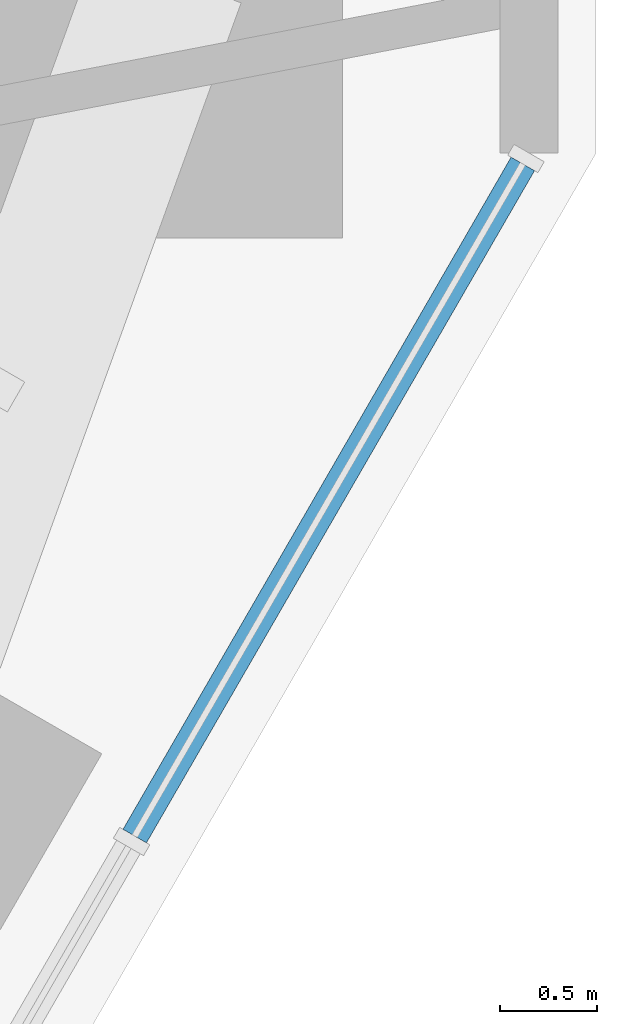
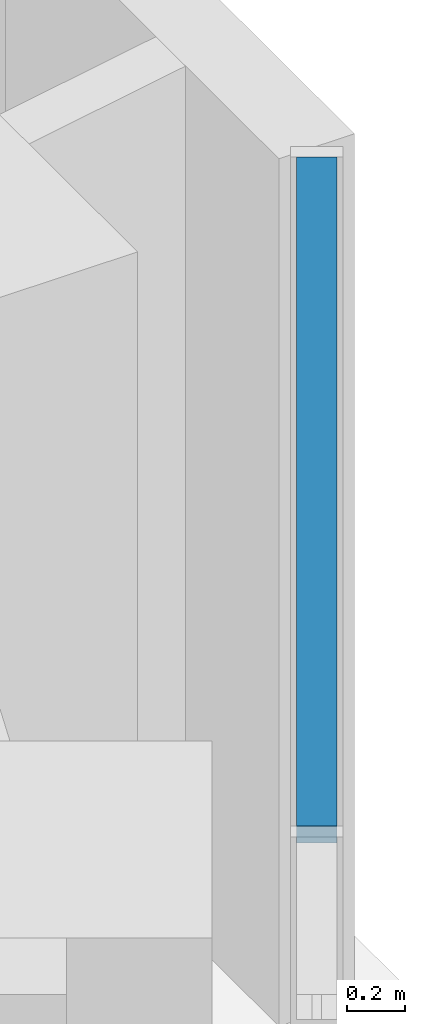
# One storey, part 6 of 17: 1 member, 1 element without a shape of its own.
"""IFC4 building model written with IfcOpenShell, lengths in metres."""

from ifc_helpers import new_model, si_unit, direction, frame, origin, origin_2d, place, context, subcontext, project, spatial, rectangle, extrude, material, material_profile, profile_set, type_object, element, aggregate, save


model = new_model("IFC4")

# Units and contexts
model_context = context("Model", 3, precision=1e-05, world=origin(), true_north=direction((0.0, 1.0)))
body_context = subcontext(model_context, "Body", "Model", "MODEL_VIEW")
ifc_project = project(units=[si_unit("LENGTHUNIT", "METRE"), si_unit("AREAUNIT", "SQUARE_METRE"), si_unit("VOLUMEUNIT", "CUBIC_METRE"), si_unit("PLANEANGLEUNIT", "RADIAN"), si_unit("MASSUNIT", "GRAM", prefix="KILO")], contexts=[model_context])

# Site, building, storey
site_placement = place(None, origin())
site = spatial("IfcSite", under=ifc_project, at=site_placement, CompositionType="ELEMENT")
building_placement = place(site_placement, origin())
building = spatial("IfcBuilding", under=site, at=building_placement, Name="Sandreach Pilgrim Tower", CompositionType="ELEMENT")
storey_placement = place(building_placement, frame((0.0, 0.0, 108.199951171875)))
storey = spatial("IfcBuildingStorey", under=building, at=storey_placement, Name="L26", CompositionType="ELEMENT", Elevation=108.199951171875)

# Curtain wall, member
ifc_material_1 = material(Name="Aluminium framed curtain wall", Category="aluminium")
curtain_wall_type = type_object("IfcCurtainWallType", Name="Hotel tower curtain wall", PredefinedType="NOTDEFINED", material=ifc_material_1)
curtain_wall_placement = place(storey_placement, origin())
curtain_wall = element("IfcCurtainWall", 1, at=curtain_wall_placement, inside=storey, type_object=curtain_wall_type, Name="CW-2 L26 SE", PredefinedType="NOTDEFINED")
ifc_material_2 = material(Name="Aluminium extrusion", Category="aluminium")
ifc_material_profile = material_profile(ifc_material_2, rectangle(XDim=0.139892578125, YDim=0.070068359375, at=origin_2d()), Name="CW-2T 140X70")
ifc_profile_set = profile_set([ifc_material_profile], Name="Aluminium extrusion")
member_type = type_object("IfcMemberType", Name="CW-2 transom", PredefinedType="USERDEFINED", material=ifc_profile_set)
member_placement = place(storey_placement, frame((28.6884765625, 4.7021484375, 3.60498046875), z_axis=(-0.500015851672, -0.866016251624, 0.0), x_axis=(0.866016251624, -0.500015851672, 0.0)))
member = element("IfcMember", 2, at=member_placement, type_object=member_type, Name="CW-2 head transom 1", ObjectType="TRANSOM", PredefinedType="USERDEFINED", context=body_context, shape_type="SweptSolid", body=[
    extrude(rectangle(XDim=0.139892578125, YDim=0.070068359375, at=origin_2d()), origin(), (0.0, 0.0, 1.0), 4.009521484375),
])
aggregate(curtain_wall, [member])

save(model, "model.ifc")
